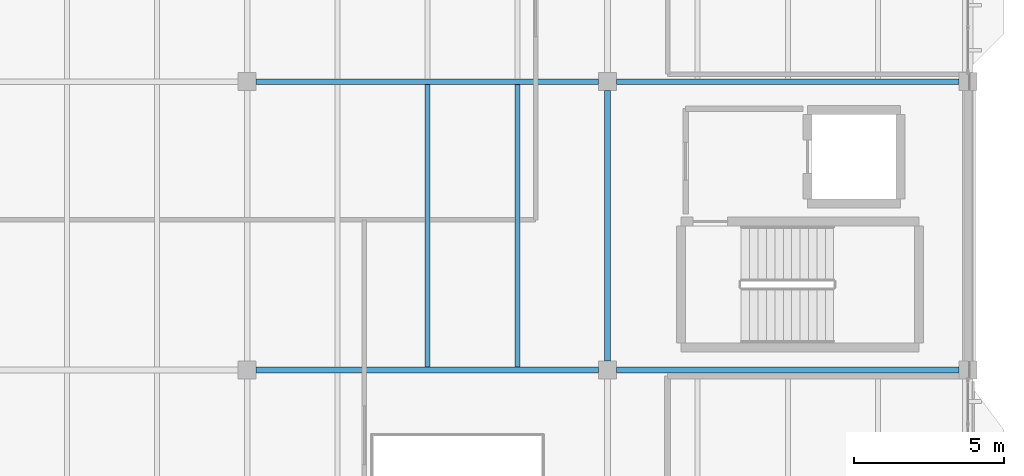
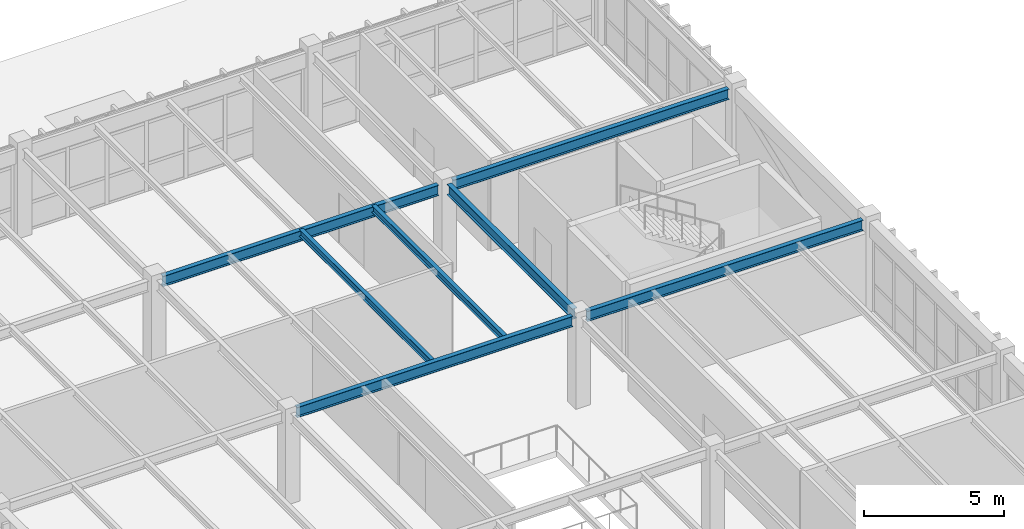
# One storey, part 50 of 83: 7 beams.
"""IFC4 building model written with IfcOpenShell, lengths in metres."""

from ifc_helpers import new_model, si_unit, direction, frame, origin, origin_2d, place, context, subcontext, project, spatial, i_section, extrude, material, material_profile, profile_set, type_object, element, save


model = new_model("IFC4")

# Units and contexts
model_context = context("Model", 3, precision=1e-05, world=origin(), true_north=direction((0.0, 1.0)))
body_context = subcontext(model_context, "Body", "Model", "MODEL_VIEW")
ifc_project = project(units=[si_unit("LENGTHUNIT", "METRE"), si_unit("AREAUNIT", "SQUARE_METRE"), si_unit("VOLUMEUNIT", "CUBIC_METRE"), si_unit("PLANEANGLEUNIT", "RADIAN"), si_unit("MASSUNIT", "GRAM", prefix="KILO")], contexts=[model_context])

# Site, building, storey
site_placement = place(None, origin())
site = spatial("IfcSite", under=ifc_project, at=site_placement, CompositionType="ELEMENT")
building_placement = place(site_placement, origin())
building = spatial("IfcBuilding", under=site, at=building_placement, Name="Pandanus Reach Market Hall", CompositionType="ELEMENT")
storey_placement = place(building_placement, frame((0.0, 0.0, 10.199951171875)))
storey = spatial("IfcBuildingStorey", under=building, at=storey_placement, Name="L02", CompositionType="ELEMENT", Elevation=10.199951171875)

# Beams
ifc_material = material(Name="Steel Grade 350 (350 MPa)", Category="steel")
ifc_material_profile_1 = material_profile(ifc_material, i_section(OverallWidth=0.18994140625, OverallDepth=0.45703125, WebThickness=0.009033203125, FlangeThickness=0.014404296875, at=origin_2d()), Name="460UB74.6", Category="LoadBearing")
ifc_profile_set_1 = profile_set([ifc_material_profile_1], Name="Steel Grade 350 (350 MPa)")
beam_type_1 = type_object("IfcBeamType", Name="BM-UB460-I", PredefinedType="BEAM", material=ifc_profile_set_1)
for number, where, z_axis, x_axis, name in (
    (1, (156.298095703125, 67.199951171875, 3.72119140625), (1.0, 0.0, 0.0), (0.0, 1.0, 0.0), "Framing beam BM-UB460-I L02.453"),
    (2, (168.298095703125, 67.199951171875, 3.72119140625), (1.0, 0.0, 0.0), (0.0, 1.0, 0.0), "Framing beam BM-UB460-I L02.454"),
    (3, (156.298095703125, 76.800048828125, 3.631103515625), (1.0, 0.0, 0.0), (0.0, 1.0, 0.0), "Framing beam BM-UB460-I L02.456"),
    (4, (168.298095703125, 76.800048828125, 3.631103515625), (1.0, 0.0, 0.0), (0.0, 1.0, 0.0), "Framing beam BM-UB460-I L02.457"),
):
    element("IfcBeam", number, at=place(storey_placement, frame(where, z_axis=z_axis, x_axis=x_axis)), inside=storey, type_object=beam_type_1, Name=name, PredefinedType="BEAM", context=body_context, shape_type="SweptSolid", body=[
        extrude(i_section(OverallWidth=0.18994140625, OverallDepth=0.45703125, WebThickness=0.009033203125, FlangeThickness=0.014404296875, at=origin_2d()), origin(), (0.0, 0.0, 1.0), 11.40380859375),
    ])
beam_placement = place(storey_placement, frame((168.0, 67.498046875, 3.72119140625), z_axis=(0.0, 1.0, 0.0), x_axis=(-1.0, 0.0, 0.0)))
element("IfcBeam", 5, at=beam_placement, inside=storey, type_object=beam_type_1, Name="Framing beam BM-UB460-I L02.480", PredefinedType="BEAM", context=body_context, shape_type="SweptSolid", body=[
    extrude(i_section(OverallWidth=0.18994140625, OverallDepth=0.45703125, WebThickness=0.009033203125, FlangeThickness=0.014404296875, at=origin_2d()), origin(), (0.0, 0.0, 1.0), 9.00390625),
])
ifc_material_profile_2 = material_profile(ifc_material, i_section(OverallWidth=0.1650390625, OverallDepth=0.303955078125, WebThickness=0.006103515625, FlangeThickness=0.01025390625, at=origin_2d()), Name="310UB40.4", Category="LoadBearing")
ifc_profile_set_2 = profile_set([ifc_material_profile_2], Name="Steel Grade 350 (350 MPa)")
beam_type_2 = type_object("IfcBeamType", Name="JS-UB310-I", PredefinedType="JOIST", material=ifc_profile_set_2)
for number, where, z_axis, x_axis, name in (
    (6, (162.0, 67.29296875, 3.797607421875), (0.0, 1.0, 0.0), (-1.0, 0.0, 0.0), "Secondary joist JS-UB310-I L02.516"),
    (7, (165.0, 67.29296875, 3.797607421875), (0.0, 1.0, 0.0), (-1.0, 0.0, 0.0), "Secondary joist JS-UB310-I L02.517"),
):
    element("IfcBeam", number, at=place(storey_placement, frame(where, z_axis=z_axis, x_axis=x_axis)), inside=storey, type_object=beam_type_2, Name=name, PredefinedType="JOIST", context=body_context, shape_type="SweptSolid", body=[
        extrude(i_section(OverallWidth=0.1650390625, OverallDepth=0.303955078125, WebThickness=0.006103515625, FlangeThickness=0.01025390625, at=origin_2d()), origin(), (0.0, 0.0, 1.0), 9.4140625),
    ])

save(model, "model.ifc")
